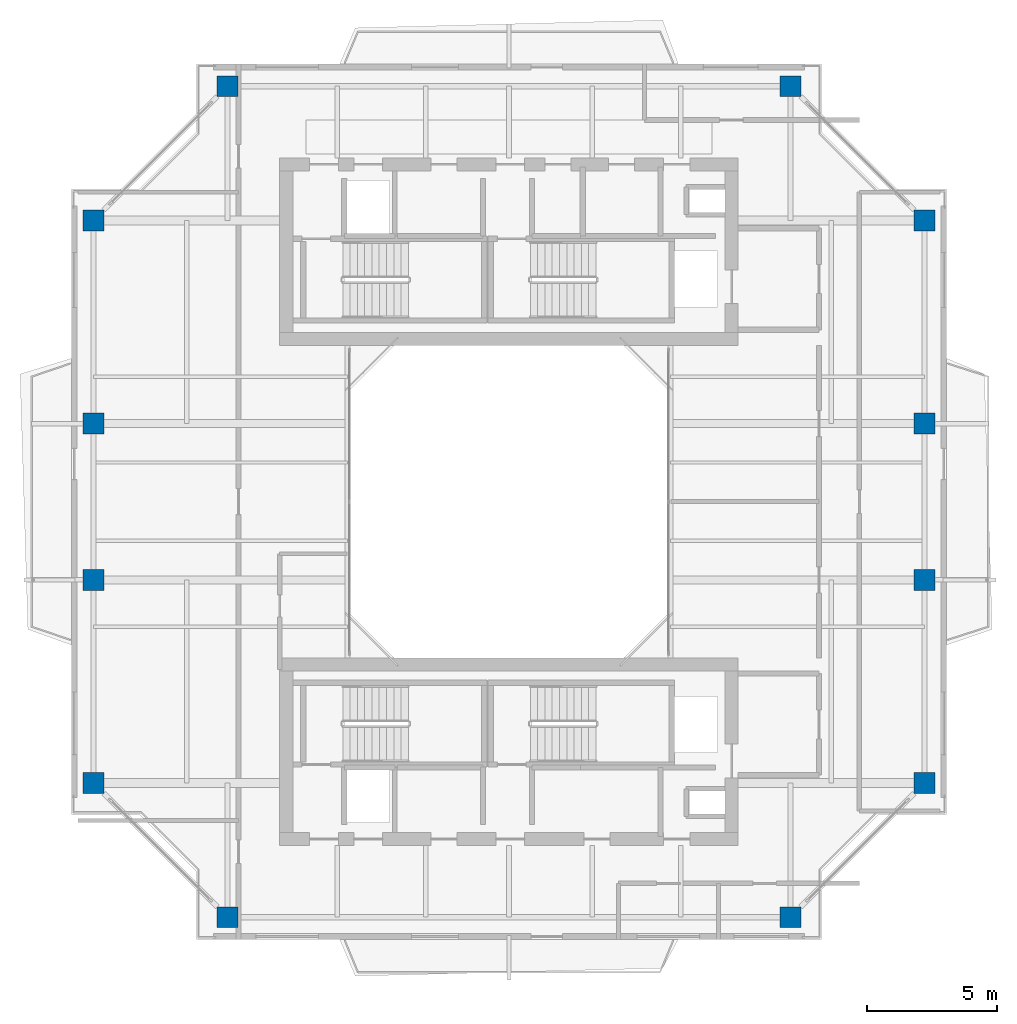
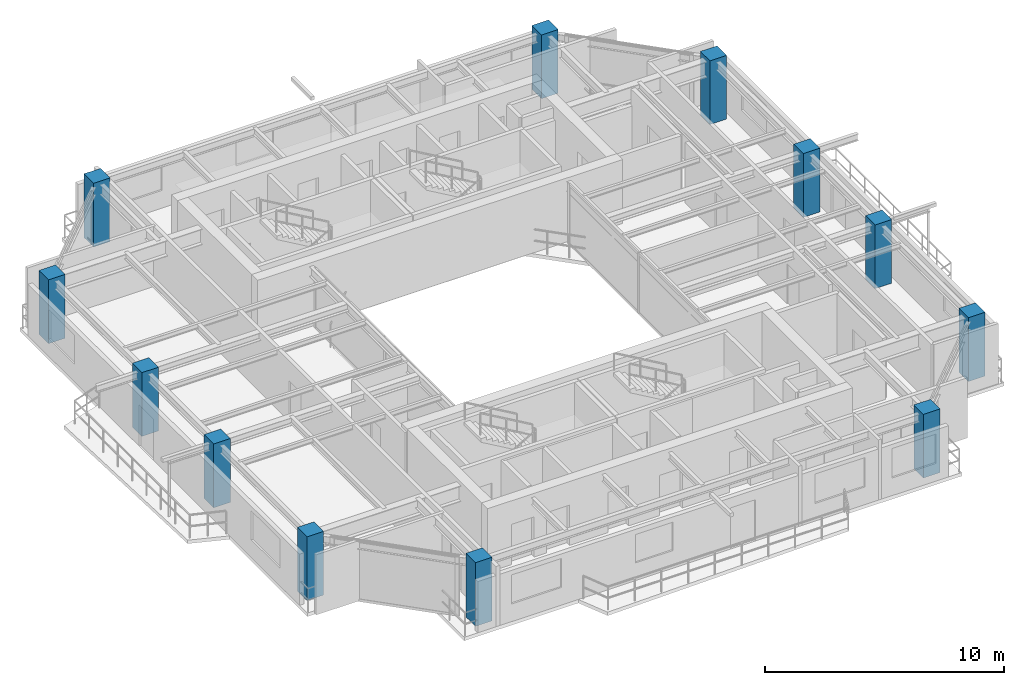
# One storey, part 1 of 15: 12 columns.
"""IFC4 building model written with IfcOpenShell, lengths in metres."""

from ifc_helpers import new_model, si_unit, direction, frame, origin, origin_2d, place, context, subcontext, project, spatial, rectangle, extrude, source, transform, mapped, material, material_profile, profile_set, type_object, element, save


model = new_model("IFC4")

# Units and contexts
model_context = context("Model", 3, precision=1e-05, world=origin(), true_north=direction((0.0, 1.0)))
body_context = subcontext(model_context, "Body", "Model", "MODEL_VIEW")
ifc_project = project(units=[si_unit("LENGTHUNIT", "METRE"), si_unit("AREAUNIT", "SQUARE_METRE"), si_unit("VOLUMEUNIT", "CUBIC_METRE"), si_unit("PLANEANGLEUNIT", "RADIAN"), si_unit("MASSUNIT", "GRAM", prefix="KILO"), si_unit("THERMODYNAMICTEMPERATUREUNIT", "KELVIN"), si_unit("POWERUNIT", "WATT")], contexts=[model_context])

# Site, building, storey
site_placement = place(None, origin())
site = spatial("IfcSite", under=ifc_project, at=site_placement, CompositionType="ELEMENT")
building_placement = place(site_placement, origin())
building = spatial("IfcBuilding", under=site, at=building_placement, Name="Qiaomeng Ring Towers", CompositionType="ELEMENT")
storey_placement = place(building_placement, frame((0.0, 0.0, 226.25)))
storey = spatial("IfcBuildingStorey", under=building, at=storey_placement, Name="L66", CompositionType="ELEMENT", Elevation=226.25)

# Columns
ifc_material = material(Name="Concrete C40", Category="concrete")
ifc_material_profile = material_profile(ifc_material, rectangle(XDim=0.800048828125, YDim=0.800048828125, at=origin_2d()), Name="RC COL 800x800")
ifc_profile_set = profile_set([ifc_material_profile], Name="Concrete C40")
column_type = type_object("IfcColumnType", Name="STR-COL-800-C40", PredefinedType="COLUMN", material=ifc_profile_set)
shared_shape = source(origin(), body_context, "Body", "SweptSolid", [
    extrude(rectangle(XDim=0.800048828125, YDim=0.800048828125, at=origin_2d()), origin(), (0.0, 0.0, 1.0), 3.25),
])
for number, where, z_axis, x_axis, name in (
    (1, (8.199951171875, 7.050048828125, 0.0), (0.0, 0.0, 1.0), (1.0, 0.0, 0.0), "L66 column STR-COL-L66-T1-S1"),
    (2, (29.800048828125, 7.050048828125, 0.0), (0.0, 0.0, 1.0), (1.0, 0.0, 0.0), "L66 column STR-COL-L66-T1-S2"),
    (3, (34.949951171875, 12.199951171875, 0.0), (0.0, 0.0, 1.0), (1.0, 0.0, 0.0), "L66 column STR-COL-L66-T1-E1"),
    (4, (34.949951171875, 20.0, 0.0), (0.0, 0.0, 1.0), (1.0, 0.0, 0.0), "L66 column STR-COL-L66-T1-E2"),
    (5, (34.949951171875, 26.0, 0.0), (0.0, 0.0, 1.0), (1.0, 0.0, 0.0), "L66 column STR-COL-L66-T1-E3"),
    (6, (34.949951171875, 33.800048828125, 0.0), (0.0, 0.0, 1.0), (1.0, 0.0, 0.0), "L66 column STR-COL-L66-T1-E4"),
    (7, (29.800048828125, 38.949951171875, 0.0), (0.0, 0.0, 1.0), (1.0, 0.0, 0.0), "L66 column STR-COL-L66-T1-N2"),
    (8, (8.199951171875, 38.949951171875, 0.0), (0.0, 0.0, 1.0), (1.0, 0.0, 0.0), "L66 column STR-COL-L66-T1-N1"),
    (9, (3.050048828125, 33.800048828125, 0.0), (0.0, 0.0, 1.0), (1.0, 0.0, 0.0), "L66 column STR-COL-L66-T1-W4"),
    (10, (3.050048828125, 26.0, 0.0), (0.0, 0.0, 1.0), (1.0, 0.0, 0.0), "L66 column STR-COL-L66-T1-W3"),
    (11, (3.050048828125, 20.0, 0.0), (0.0, 0.0, 1.0), (1.0, 0.0, 0.0), "L66 column STR-COL-L66-T1-W2"),
    (12, (3.050048828125, 12.199951171875, 0.0), (0.0, 0.0, 1.0), (1.0, 0.0, 0.0), "L66 column STR-COL-L66-T1-W1"),
):
    element("IfcColumn", number, at=place(storey_placement, frame(where, z_axis=z_axis, x_axis=x_axis)), inside=storey, type_object=column_type, Name=name, PredefinedType="COLUMN", context=body_context, shape_type="MappedRepresentation", body=[
        mapped(shared_shape, transform((0.0, 0.0, 0.0), x_axis=(1.0, 0.0, 0.0), y_axis=(0.0, 1.0, 0.0), z_axis=(0.0, 0.0, 1.0), scale=1.0)),
    ])

save(model, "model.ifc")
